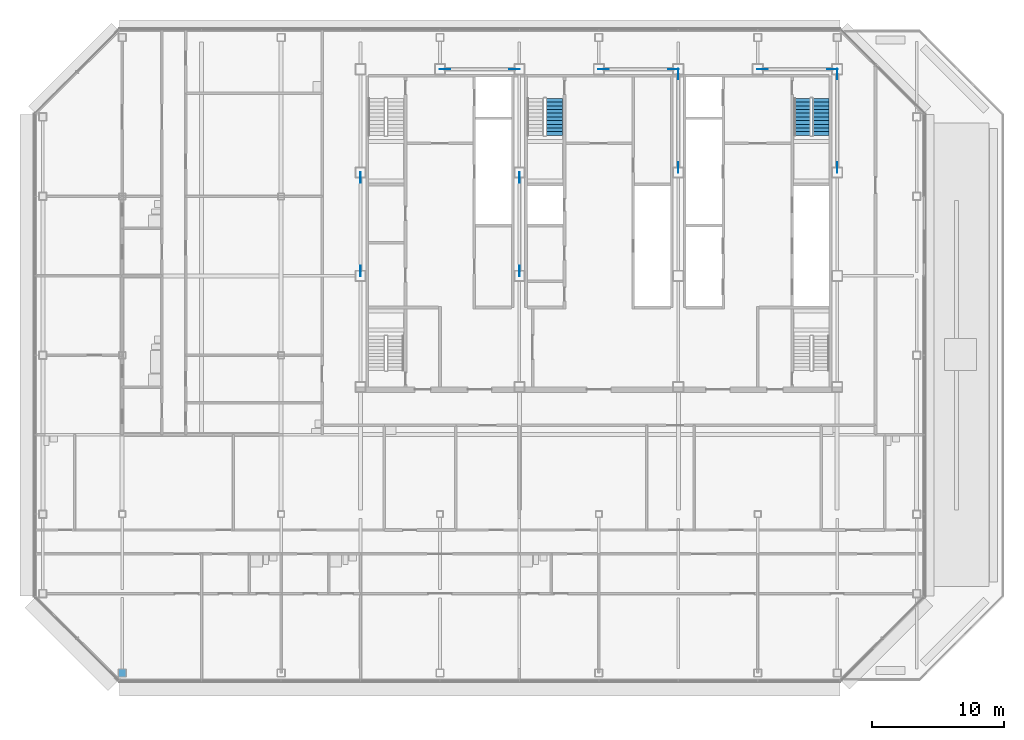
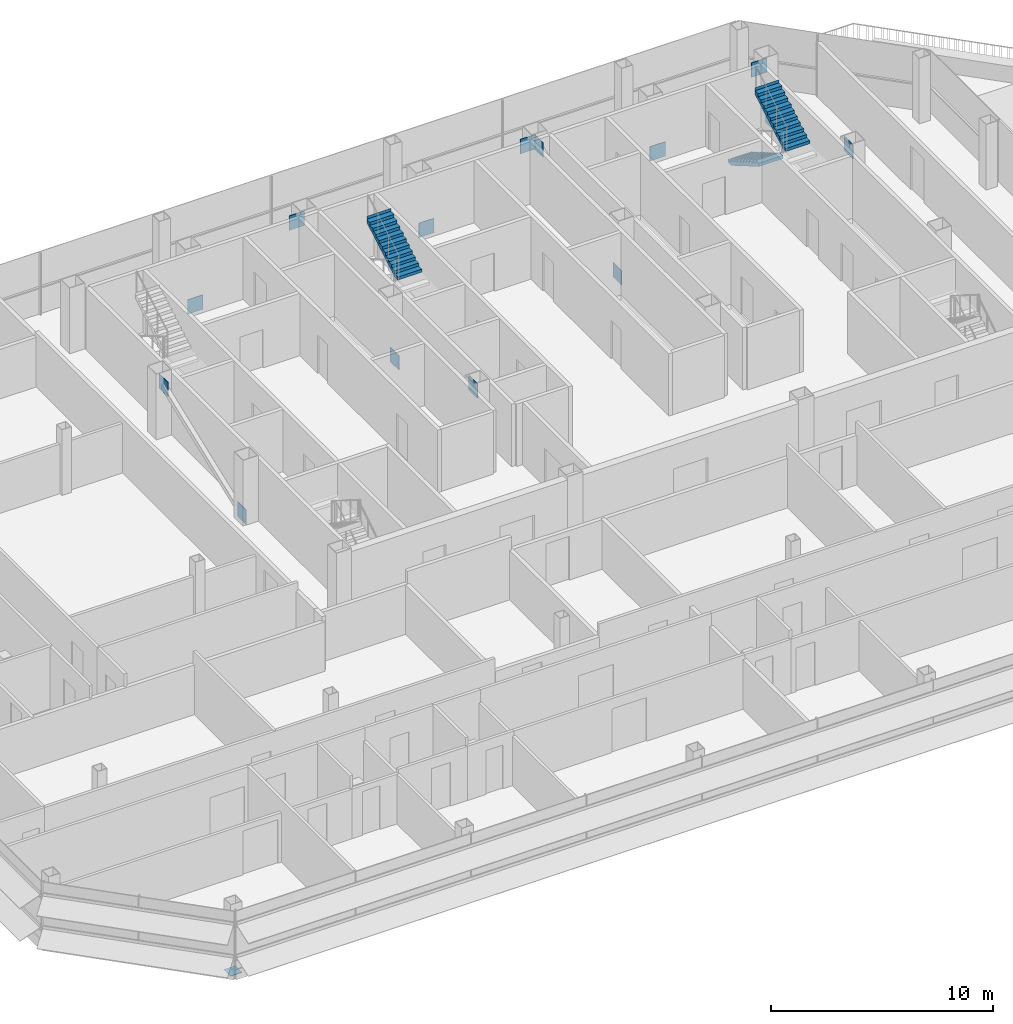
# One storey, part 23 of 28: 15 discrete accessories, 3 stair flights, 2 elements without a shape of their own.
"""IFC4 building model written with IfcOpenShell, lengths in metres."""

from ifc_helpers import new_model, si_unit, direction, frame, origin, origin_2d, place, context, subcontext, project, spatial, polyline, rectangle, outline, extrude, material, layer, layer_set, type_object, element, aggregate, save


model = new_model("IFC4")

# Units and contexts
model_context = context("Model", 3, precision=1e-05, world=origin(), true_north=direction((0.0, 1.0)))
body_context = subcontext(model_context, "Body", "Model", "MODEL_VIEW")
ifc_project = project(units=[si_unit("LENGTHUNIT", "METRE"), si_unit("AREAUNIT", "SQUARE_METRE"), si_unit("VOLUMEUNIT", "CUBIC_METRE"), si_unit("PLANEANGLEUNIT", "RADIAN"), si_unit("MASSUNIT", "GRAM", prefix="KILO")], contexts=[model_context])

# Site, building, storey
site_placement = place(None, origin())
site = spatial("IfcSite", under=ifc_project, at=site_placement, CompositionType="ELEMENT")
building_placement = place(site_placement, origin())
building = spatial("IfcBuilding", under=site, at=building_placement, Name="Sorahane Residences", CompositionType="ELEMENT")
storey_placement = place(building_placement, frame((0.0, 0.0, 290.800048828125)))
storey = spatial("IfcBuildingStorey", under=building, at=storey_placement, Name="L68", CompositionType="ELEMENT", Elevation=290.800048828125)

# Stair, stair flights
ifc_material_1 = material(Name="Concrete C40", Category="concrete")
stair_type = type_object("IfcStairType", Name="Dog-leg stair 1250 Concrete C40", PredefinedType="HALF_TURN_STAIR", material=ifc_material_1)
stair_1_placement = place(storey_placement, origin())
stair_1 = element("IfcStair", 1, at=stair_1_placement, inside=storey, type_object=stair_type, Name="L68 Stair S2", PredefinedType="HALF_TURN_STAIR")
ifc_material_2 = material(Name="Concrete C40", Category="concrete")
stair_flight_type = type_object("IfcStairFlightType", Name="Stair flight 1250 Concrete C40", PredefinedType="STRAIGHT", material=ifc_material_2)
stair_flight_1_placement = place(storey_placement, frame((39.375, 43.39990234375, 0.0), z_axis=(0.0, 0.0, 1.0), x_axis=(0.0, -1.0, 0.0)))
stair_flight_1 = element("IfcStairFlight", 2, at=stair_flight_1_placement, type_object=stair_flight_type, Name="S2 flight 1", NumberOfRisers=11, NumberOfTreads=10, PredefinedType="STRAIGHT", RiserHeight=0.163636364, TreadLength=0.28, context=body_context, shape_type="SweptSolid", body=[
    extrude(outline(polyline([(-0.00146484375, 0.0), (-0.00146484375, 0.16357421875), (0.0, 0.16357421875), (0.280029296875, 0.16357421875), (0.280029296875, 0.327392578125), (0.56005859375, 0.327392578125), (0.56005859375, 0.490966796875), (0.840087890625, 0.490966796875), (0.840087890625, 0.654541015625), (1.1201171875, 0.654541015625), (1.1201171875, 0.818115234375), (1.39990234375, 0.818115234375), (1.39990234375, 0.98193359375), (1.679931640625, 0.98193359375), (1.679931640625, 1.1455078125), (1.9599609375, 1.1455078125), (1.9599609375, 1.30908203125), (2.239990234375, 1.30908203125), (2.239990234375, 1.47265625), (2.52001953125, 1.47265625), (2.52001953125, 1.636474609375), (2.800048828125, 1.636474609375), (2.800048828125, 1.800048828125), (2.800048828125, 1.462646484375), (2.59130859375, 1.3408203125), (2.3828125, 1.218994140625), (2.17431640625, 1.09716796875), (1.965576171875, 0.97509765625), (1.757080078125, 0.853271484375), (1.548583984375, 0.7314453125), (1.340087890625, 0.609375), (1.13134765625, 0.487548828125), (0.9228515625, 0.36572265625), (0.71435546875, 0.243896484375), (0.505615234375, 0.121826171875), (0.297119140625, 0.0), (-0.00146484375, 0.0)])), frame((0.0, 0.625, 0.0), z_axis=(0.0, -1.0, 0.0), x_axis=(1.0, 0.0, 0.0)), (0.0, 0.0, 1.0), 1.25),
])
stair_flight_2_placement = place(storey_placement, frame((40.77490234375, 40.60009765625, 1.800048828125), z_axis=(0.0, 0.0, 1.0), x_axis=(0.0, 1.0, 0.0)))
stair_flight_2 = element("IfcStairFlight", 3, at=stair_flight_2_placement, type_object=stair_flight_type, Name="S2 flight 2", NumberOfRisers=11, NumberOfTreads=10, PredefinedType="STRAIGHT", RiserHeight=0.163636364, TreadLength=0.28, context=body_context, shape_type="SweptSolid", body=[
    extrude(outline(polyline([(0.0, 0.0), (0.0, 0.16357421875), (0.280029296875, 0.16357421875), (0.280029296875, 0.327392578125), (0.56005859375, 0.327392578125), (0.56005859375, 0.490966796875), (0.840087890625, 0.490966796875), (0.840087890625, 0.654541015625), (1.1201171875, 0.654541015625), (1.1201171875, 0.818115234375), (1.39990234375, 0.818115234375), (1.39990234375, 0.98193359375), (1.679931640625, 0.98193359375), (1.679931640625, 1.1455078125), (1.9599609375, 1.1455078125), (1.9599609375, 1.30908203125), (2.239990234375, 1.30908203125), (2.239990234375, 1.47265625), (2.52001953125, 1.47265625), (2.52001953125, 1.636474609375), (2.800048828125, 1.636474609375), (2.800048828125, 1.800048828125), (2.801513671875, 1.800048828125), (2.801513671875, 1.462646484375), (2.5927734375, 1.3408203125), (2.384033203125, 1.218994140625), (2.17529296875, 1.09716796875), (1.966796875, 0.97509765625), (1.758056640625, 0.853271484375), (1.54931640625, 0.7314453125), (1.340576171875, 0.609375), (1.1318359375, 0.487548828125), (0.923095703125, 0.36572265625), (0.714599609375, 0.243896484375), (0.505859375, 0.121826171875), (0.297119140625, 0.0), (0.0, 0.0)])), frame((0.0, 0.625, 0.0), z_axis=(0.0, -1.0, 0.0), x_axis=(1.0, 0.0, 0.0)), (0.0, 0.0, 1.0), 1.25),
])
aggregate(stair_1, [stair_flight_1, stair_flight_2])

# Stair, stair flight
stair_2_placement = place(storey_placement, origin())
stair_2 = element("IfcStair", 4, at=stair_2_placement, inside=storey, type_object=stair_type, Name="L68 Stair S3", PredefinedType="HALF_TURN_STAIR")
stair_flight_3_placement = place(storey_placement, frame((20.625, 40.60009765625, 1.800048828125), z_axis=(0.0, 0.0, 1.0), x_axis=(0.0, 1.0, 0.0)))
stair_flight_3 = element("IfcStairFlight", 5, at=stair_flight_3_placement, type_object=stair_flight_type, Name="S3 flight 2", NumberOfRisers=11, NumberOfTreads=10, PredefinedType="STRAIGHT", RiserHeight=0.163636364, TreadLength=0.28, context=body_context, shape_type="SweptSolid", body=[
    extrude(outline(polyline([(0.0, 0.0), (0.0, 0.16357421875), (0.280029296875, 0.16357421875), (0.280029296875, 0.327392578125), (0.56005859375, 0.327392578125), (0.56005859375, 0.490966796875), (0.840087890625, 0.490966796875), (0.840087890625, 0.654541015625), (1.1201171875, 0.654541015625), (1.1201171875, 0.818115234375), (1.39990234375, 0.818115234375), (1.39990234375, 0.98193359375), (1.679931640625, 0.98193359375), (1.679931640625, 1.1455078125), (1.9599609375, 1.1455078125), (1.9599609375, 1.30908203125), (2.239990234375, 1.30908203125), (2.239990234375, 1.47265625), (2.52001953125, 1.47265625), (2.52001953125, 1.636474609375), (2.800048828125, 1.636474609375), (2.800048828125, 1.800048828125), (2.801513671875, 1.800048828125), (2.801513671875, 1.462646484375), (2.5927734375, 1.3408203125), (2.384033203125, 1.218994140625), (2.17529296875, 1.09716796875), (1.966796875, 0.97509765625), (1.758056640625, 0.853271484375), (1.54931640625, 0.7314453125), (1.340576171875, 0.609375), (1.1318359375, 0.487548828125), (0.923095703125, 0.36572265625), (0.714599609375, 0.243896484375), (0.505859375, 0.121826171875), (0.297119140625, 0.0), (0.0, 0.0)])), frame((0.0, 0.625, 0.0), z_axis=(0.0, -1.0, 0.0), x_axis=(1.0, 0.0, 0.0)), (0.0, 0.0, 1.0), 1.25),
])
aggregate(stair_2, [stair_flight_3])

# Discrete accessories
ifc_material_3 = material(Name="Steel Q355B", Category="steel")
ifc_layer_1 = layer(ifc_material_3, 0.02001953125)
ifc_layer_set_1 = layer_set([ifc_layer_1], Name="End plate Steel Q355B 600x600x20")
discrete_accessory_type_1 = type_object("IfcDiscreteAccessoryType", Name="End plate Steel Q355B 600x600x20", PredefinedType="USERDEFINED", material=ifc_layer_set_1)
discrete_accessory_placement = place(storey_placement, frame((-12.0, 0.0, -0.320068359375), z_axis=(0.0, 0.0, 1.0), x_axis=(1.0, 0.0, 0.0)))
element("IfcDiscreteAccessory", 6, at=discrete_accessory_placement, inside=storey, type_object=discrete_accessory_type_1, Name="End plate L68", ObjectType="END PLATE", PredefinedType="USERDEFINED", context=body_context, shape_type="SweptSolid", body=[
    extrude(rectangle(XDim=0.60009765625, YDim=0.60009765625, at=origin_2d()), origin(), (0.0, 0.0, 1.0), 0.02001953125),
])
ifc_material_4 = material(Name="Steel Q355B", Category="steel")
ifc_layer_2 = layer(ifc_material_4, 0.02490234375)
ifc_layer_set_2 = layer_set([ifc_layer_2], Name="Node plate Steel Q355B 25")
discrete_accessory_type_2 = type_object("IfcDiscreteAccessoryType", Name="Node plate Steel Q355B 25", PredefinedType="BRACKET", material=ifc_layer_set_2)
for number, where, z_axis, x_axis, name in (
    (7, (6.0, 30.372802734375, -0.28564453125), (0.0, 0.0, 1.0), (0.0, 1.0, 0.0), "Node plate L68 br"),
    (8, (6.0, 37.42724609375, 2.45556640625), (0.0, 0.0, 1.0), (0.0, 1.0, 0.0), "Node plate L68 br"),
    (9, (18.0, 37.42724609375, -0.28564453125), (0.0, 0.0, 1.0), (0.0, 1.0, 0.0), "Node plate L68 br"),
    (10, (18.0, 30.372802734375, 2.45556640625), (0.0, 0.0, 1.0), (0.0, 1.0, 0.0), "Node plate L68 br"),
    (11, (30.0, 38.1728515625, -0.28564453125), (0.0, 0.0, 1.0), (0.0, 1.0, 0.0), "Node plate L68 br"),
    (12, (30.0, 45.227294921875, 2.45556640625), (0.0, 0.0, 1.0), (0.0, 1.0, 0.0), "Node plate L68 br"),
    (13, (42.0, 45.227294921875, -0.28564453125), (0.0, 0.0, 1.0), (0.0, 1.0, 0.0), "Node plate L68 br"),
    (14, (42.0, 38.1728515625, 2.45556640625), (0.0, 0.0, 1.0), (0.0, 1.0, 0.0), "Node plate L68 br"),
    (15, (12.365234375, 45.60009765625, -0.29345703125), (0.0, 0.0, 1.0), (1.0, 0.0, 0.0), "Node plate L68 br"),
    (16, (24.365234375, 45.60009765625, -0.29345703125), (0.0, 0.0, 1.0), (1.0, 0.0, 0.0), "Node plate L68 br"),
    (17, (36.365234375, 45.60009765625, -0.29345703125), (0.0, 0.0, 1.0), (1.0, 0.0, 0.0), "Node plate L68 br"),
    (18, (17.634765625, 45.60009765625, 2.462890625), (0.0, 0.0, 1.0), (1.0, 0.0, 0.0), "Node plate L68 br"),
    (19, (29.634765625, 45.60009765625, 2.462890625), (0.0, 0.0, 1.0), (1.0, 0.0, 0.0), "Node plate L68 br"),
    (20, (41.634765625, 45.60009765625, 2.462890625), (0.0, 0.0, 1.0), (1.0, 0.0, 0.0), "Node plate L68 br"),
):
    element("IfcDiscreteAccessory", number, at=place(storey_placement, frame(where, z_axis=z_axis, x_axis=x_axis)), inside=storey, type_object=discrete_accessory_type_2, Name=name, PredefinedType="BRACKET", context=body_context, shape_type="SweptSolid", body=[
        extrude(rectangle(XDim=0.800048828125, YDim=0.02490234375, at=origin_2d()), origin(), (0.0, 0.0, 1.0), 0.800048828125),
    ])

save(model, "model.ifc")
